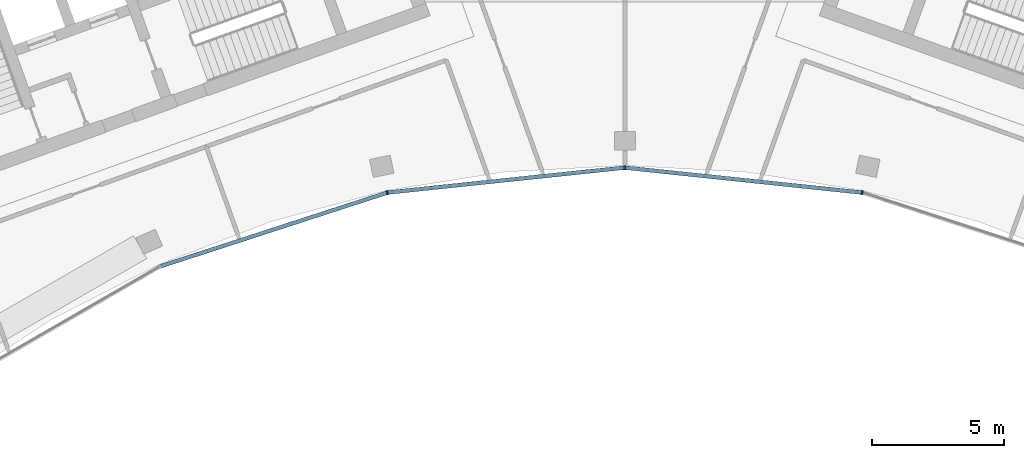
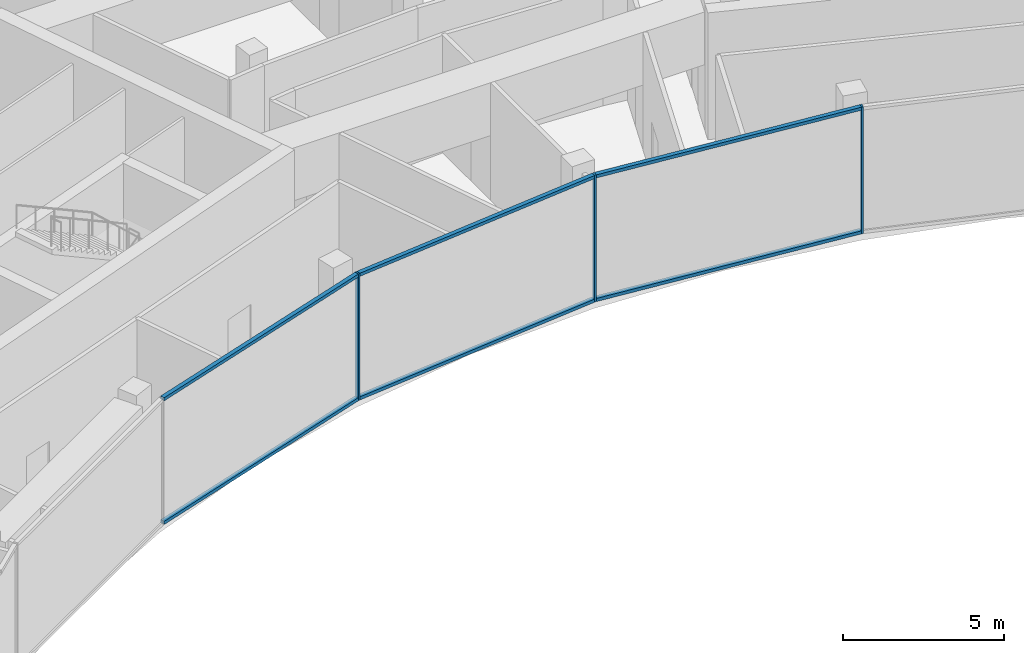
# One storey, part 5 of 17: 9 members, 1 element without a shape of its own.
"""IFC4 building model written with IfcOpenShell, lengths in metres."""

from ifc_helpers import new_model, si_unit, direction, frame, origin, origin_2d, place, context, subcontext, project, spatial, rectangle, extrude, material, layer, layer_set, material_profile, profile_set, type_object, element, aggregate, save


model = new_model("IFC4")

# Units and contexts
model_context = context("Model", 3, precision=1e-05, world=origin(), true_north=direction((0.0, 1.0)))
body_context = subcontext(model_context, "Body", "Model", "MODEL_VIEW")
ifc_project = project(units=[si_unit("LENGTHUNIT", "METRE"), si_unit("AREAUNIT", "SQUARE_METRE"), si_unit("VOLUMEUNIT", "CUBIC_METRE"), si_unit("PLANEANGLEUNIT", "RADIAN"), si_unit("MASSUNIT", "GRAM", prefix="KILO")], contexts=[model_context])

# Site, building, storey
site_placement = place(None, origin())
site = spatial("IfcSite", under=ifc_project, at=site_placement, CompositionType="ELEMENT")
building_placement = place(site_placement, origin())
building = spatial("IfcBuilding", under=site, at=building_placement, Name="Stone Belt Terrace Tower", CompositionType="ELEMENT")
storey_placement = place(building_placement, frame((0.0, 0.0, 318.199951171875)))
storey = spatial("IfcBuildingStorey", under=building, at=storey_placement, Name="L77", CompositionType="ELEMENT", Elevation=318.199951171875)

# Curtain wall, members
ifc_material = material(Name="Aluminium 6063-T6 anodised frame", Category="aluminium")
ifc_layer = layer(ifc_material, 0.14990234375)
ifc_layer_set = layer_set([ifc_layer], Name="CW-C stick curtain wall, horn ends and notches")
curtain_wall_type = type_object("IfcCurtainWallType", Name="CW-C stick curtain wall, horn ends and notches", PredefinedType="NOTDEFINED", material=ifc_layer_set)
curtain_wall_placement = place(storey_placement, origin())
curtain_wall = element("IfcCurtainWall", 1, at=curtain_wall_placement, inside=storey, type_object=curtain_wall_type, Name="CW-C concave face L77", PredefinedType="NOTDEFINED")
ifc_material_profile_1 = material_profile(ifc_material, rectangle(XDim=0.14990234375, YDim=0.06005859375, at=origin_2d()), Name="Aluminium 6063-T6 60x150")
ifc_profile_set_1 = profile_set([ifc_material_profile_1], Name="Aluminium 6063-T6 anodised frame")
member_type_1 = type_object("IfcMemberType", Name="CW-C mullion 60 x 150", PredefinedType="MULLION", material=ifc_profile_set_1)
member_1_placement = place(storey_placement, frame((-9.028564453125, 42.4755859375, 0.0), z_axis=(0.0, 0.0, 1.0), x_axis=(-0.207911690818, 0.978147600734, 0.0)))
member_1 = element("IfcMember", 2, at=member_1_placement, type_object=member_type_1, Name="CW-C mullion 4", PredefinedType="MULLION", context=body_context, shape_type="SweptSolid", body=[
    extrude(rectangle(XDim=0.14990234375, YDim=0.06005859375, at=origin_2d()), origin(), (0.0, 0.0, 1.0), 4.800048828125),
])
member_2_placement = place(storey_placement, frame((0.0, 43.424560546875, 0.0), z_axis=(0.0, 0.0, 1.0), x_axis=(0.0, 1.0, 0.0)))
member_2 = element("IfcMember", 3, at=member_2_placement, type_object=member_type_1, Name="CW-C mullion 5", PredefinedType="MULLION", context=body_context, shape_type="SweptSolid", body=[
    extrude(rectangle(XDim=0.14990234375, YDim=0.06005859375, at=origin_2d()), origin(), (0.0, 0.0, 1.0), 4.800048828125),
])
member_3_placement = place(storey_placement, frame((9.028564453125, 42.4755859375, 0.0), z_axis=(0.0, 0.0, 1.0), x_axis=(0.207911690818, 0.978147600734, 0.0)))
member_3 = element("IfcMember", 4, at=member_3_placement, type_object=member_type_1, Name="CW-C mullion 6", PredefinedType="MULLION", context=body_context, shape_type="SweptSolid", body=[
    extrude(rectangle(XDim=0.14990234375, YDim=0.06005859375, at=origin_2d()), origin(), (0.0, 0.0, 1.0), 4.800048828125),
])
ifc_material_profile_2 = material_profile(ifc_material, rectangle(XDim=0.14990234375, YDim=0.1201171875, at=origin_2d()), Name="Aluminium 6063-T6 150x120")
ifc_profile_set_2 = profile_set([ifc_material_profile_2], Name="Aluminium 6063-T6 anodised frame")
member_type_2 = type_object("IfcMemberType", Name="CW-C transom 120 x 150", PredefinedType="USERDEFINED", material=ifc_profile_set_2)
member_4_placement = place(storey_placement, frame((-17.62646484375, 39.681884765625, 0.06005859375), z_axis=(0.951050607887, 0.309035177995, 0.0), x_axis=(-0.309035177995, 0.951050607887, 0.0)))
member_4 = element("IfcMember", 5, at=member_4_placement, type_object=member_type_2, Name="CW-C transom 3.1", ObjectType="TRANSOM", PredefinedType="USERDEFINED", context=body_context, shape_type="SweptSolid", body=[
    extrude(rectangle(XDim=0.14990234375, YDim=0.1201171875, at=origin_2d()), origin(), (0.0, 0.0, 1.0), 9.0029296875),
])
member_5_placement = place(storey_placement, frame((-17.62646484375, 39.681884765625, 4.739990234375), z_axis=(0.951050607887, 0.309035177995, 0.0), x_axis=(-0.309035177995, 0.951050607887, 0.0)))
member_5 = element("IfcMember", 6, at=member_5_placement, type_object=member_type_2, Name="CW-C transom 3.2", ObjectType="TRANSOM", PredefinedType="USERDEFINED", context=body_context, shape_type="SweptSolid", body=[
    extrude(rectangle(XDim=0.14990234375, YDim=0.1201171875, at=origin_2d()), origin(), (0.0, 0.0, 1.0), 9.0029296875),
])
member_6_placement = place(storey_placement, frame((-8.990966796875, 42.4794921875, 0.06005859375), z_axis=(0.994520747173, 0.104539387041, 0.0), x_axis=(-0.104539387041, 0.994520747173, 0.0)))
member_6 = element("IfcMember", 7, at=member_6_placement, type_object=member_type_2, Name="CW-C transom 4.1", ObjectType="TRANSOM", PredefinedType="USERDEFINED", context=body_context, shape_type="SweptSolid", body=[
    extrude(rectangle(XDim=0.14990234375, YDim=0.1201171875, at=origin_2d()), origin(), (0.0, 0.0, 1.0), 9.0029296875),
])
member_7_placement = place(storey_placement, frame((-8.990966796875, 42.4794921875, 4.739990234375), z_axis=(0.994520747173, 0.104539387041, 0.0), x_axis=(-0.104539387041, 0.994520747173, 0.0)))
member_7 = element("IfcMember", 8, at=member_7_placement, type_object=member_type_2, Name="CW-C transom 4.2", ObjectType="TRANSOM", PredefinedType="USERDEFINED", context=body_context, shape_type="SweptSolid", body=[
    extrude(rectangle(XDim=0.14990234375, YDim=0.1201171875, at=origin_2d()), origin(), (0.0, 0.0, 1.0), 9.0029296875),
])
member_8_placement = place(storey_placement, frame((0.037353515625, 43.420654296875, 0.06005859375), z_axis=(0.994520747173, -0.104539387041, 0.0), x_axis=(0.104539387041, 0.994520747173, 0.0)))
member_8 = element("IfcMember", 9, at=member_8_placement, type_object=member_type_2, Name="CW-C transom 5.1", ObjectType="TRANSOM", PredefinedType="USERDEFINED", context=body_context, shape_type="SweptSolid", body=[
    extrude(rectangle(XDim=0.14990234375, YDim=0.1201171875, at=origin_2d()), origin(), (0.0, 0.0, 1.0), 9.0029296875),
])
member_9_placement = place(storey_placement, frame((0.037353515625, 43.420654296875, 4.739990234375), z_axis=(0.994520747173, -0.104539387041, 0.0), x_axis=(0.104539387041, 0.994520747173, 0.0)))
member_9 = element("IfcMember", 10, at=member_9_placement, type_object=member_type_2, Name="CW-C transom 5.2", ObjectType="TRANSOM", PredefinedType="USERDEFINED", context=body_context, shape_type="SweptSolid", body=[
    extrude(rectangle(XDim=0.14990234375, YDim=0.1201171875, at=origin_2d()), origin(), (0.0, 0.0, 1.0), 9.0029296875),
])
aggregate(curtain_wall, [member_1, member_2, member_3, member_4, member_5, member_6, member_7, member_8, member_9])

save(model, "model.ifc")
